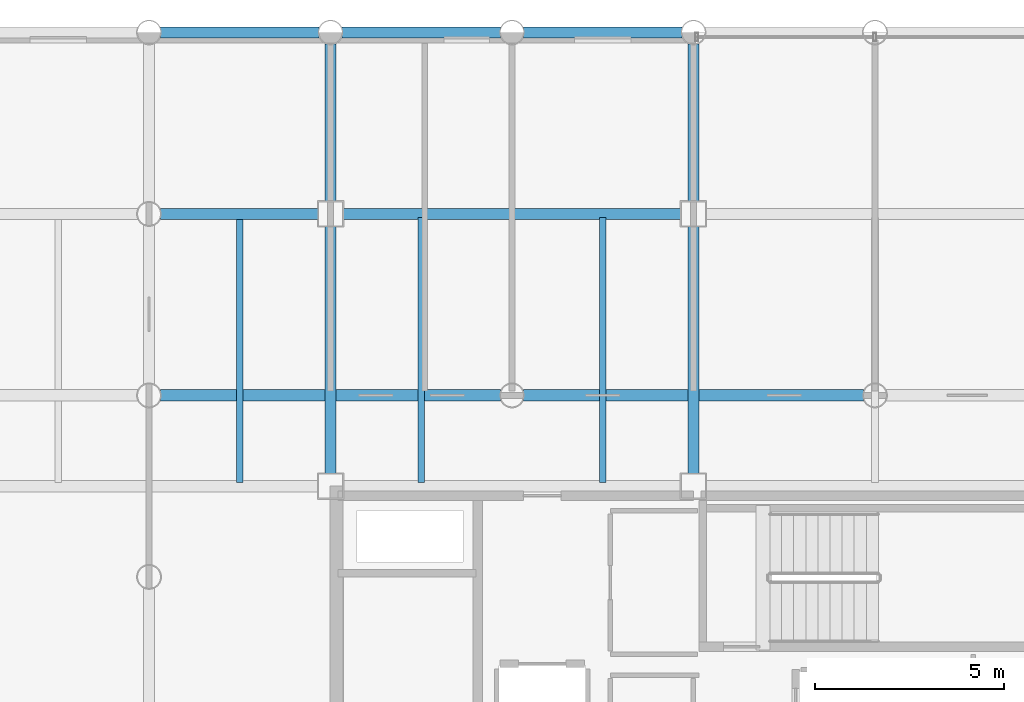
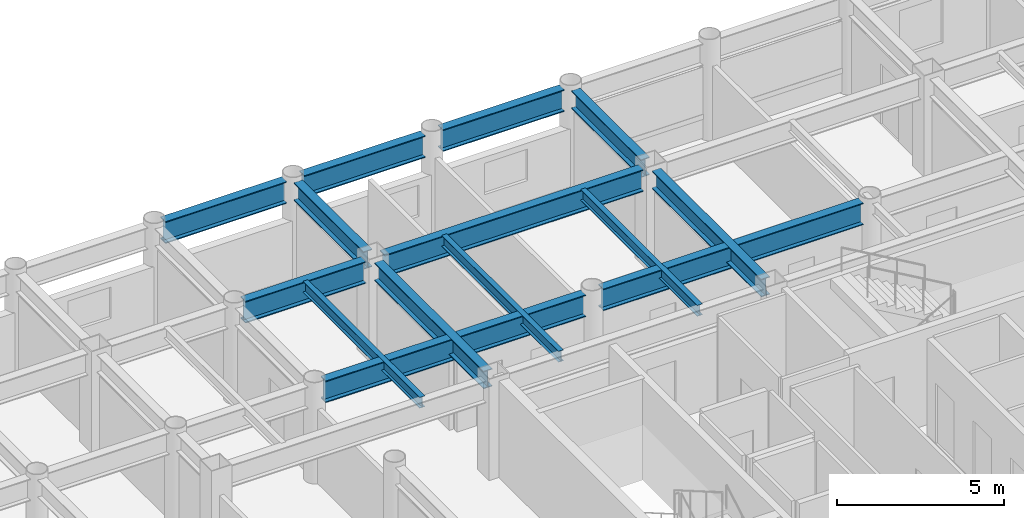
# One storey, part 10 of 20: 14 beams.
"""IFC4 building model written with IfcOpenShell, lengths in metres."""

from ifc_helpers import new_model, si_unit, direction, frame, origin, origin_2d, place, context, subcontext, project, spatial, i_section, extrude, material, material_profile, profile_set, type_object, element, save


model = new_model("IFC4")

# Units and contexts
model_context = context("Model", 3, precision=1e-05, world=origin(), true_north=direction((0.0, 1.0)))
body_context = subcontext(model_context, "Body", "Model", "MODEL_VIEW")
ifc_project = project(units=[si_unit("LENGTHUNIT", "METRE"), si_unit("AREAUNIT", "SQUARE_METRE"), si_unit("VOLUMEUNIT", "CUBIC_METRE"), si_unit("PLANEANGLEUNIT", "RADIAN"), si_unit("MASSUNIT", "GRAM", prefix="KILO")], contexts=[model_context])

# Site, building, storey
site_placement = place(None, origin())
site = spatial("IfcSite", under=ifc_project, at=site_placement, CompositionType="ELEMENT")
building_placement = place(site_placement, origin())
building = spatial("IfcBuilding", under=site, at=building_placement, Name="Kallvorn Hotel Tower", CompositionType="ELEMENT")
storey_placement = place(building_placement, frame((0.0, 0.0, 161.800048828125)))
storey = spatial("IfcBuildingStorey", under=building, at=storey_placement, Name="L40", CompositionType="ELEMENT", Elevation=161.800048828125)

# Beams
ifc_material_1 = material(Name="Structural steel S355JR", Category="steel")
ifc_material_profile_1 = material_profile(ifc_material_1, i_section(OverallWidth=0.300048828125, OverallDepth=0.64990234375, WebThickness=0.01611328125, FlangeThickness=0.031005859375, at=origin_2d()), Name="HE 650 B")
ifc_profile_set_1 = profile_set([ifc_material_profile_1], Name="Structural steel S355JR")
beam_type_1 = type_object("IfcBeamType", Name="BM_HE650B", PredefinedType="BEAM", material=ifc_profile_set_1)
beam_1_placement = place(storey_placement, frame((-14.39990234375, 7.52490234375, 3.195068359375), z_axis=(0.0, 1.0, 0.0), x_axis=(-1.0, 0.0, 0.0)))
element("IfcBeam", 1, at=beam_1_placement, inside=storey, type_object=beam_type_1, Name="L41 Primary Y-Girder 101", PredefinedType="BEAM", context=body_context, shape_type="SweptSolid", body=[
    extrude(i_section(OverallWidth=0.300048828125, OverallDepth=0.64990234375, WebThickness=0.01611328125, FlangeThickness=0.031005859375, at=origin_2d()), origin(), (0.0, 0.0, 1.0), 6.550048828125),
])
beam_2_placement = place(storey_placement, frame((-14.39990234375, 14.72509765625, 3.195068359375), z_axis=(0.0, 1.0, 0.0), x_axis=(-1.0, 0.0, 0.0)))
element("IfcBeam", 2, at=beam_2_placement, inside=storey, type_object=beam_type_1, Name="L41 Primary Y-Girder 102", PredefinedType="BEAM", context=body_context, shape_type="SweptSolid", body=[
    extrude(i_section(OverallWidth=0.300048828125, OverallDepth=0.64990234375, WebThickness=0.01611328125, FlangeThickness=0.031005859375, at=origin_2d()), origin(), (0.0, 0.0, 1.0), 4.169921875),
])
beam_3_placement = place(storey_placement, frame((-4.800048828125, 7.52490234375, 3.195068359375), z_axis=(0.0, 1.0, 0.0), x_axis=(-1.0, 0.0, 0.0)))
element("IfcBeam", 3, at=beam_3_placement, inside=storey, type_object=beam_type_1, Name="L41 Primary Y-Girder 109", PredefinedType="BEAM", context=body_context, shape_type="SweptSolid", body=[
    extrude(i_section(OverallWidth=0.300048828125, OverallDepth=0.64990234375, WebThickness=0.01611328125, FlangeThickness=0.031005859375, at=origin_2d()), origin(), (0.0, 0.0, 1.0), 6.550048828125),
])
beam_4_placement = place(storey_placement, frame((-4.800048828125, 14.72509765625, 3.195068359375), z_axis=(0.0, 1.0, 0.0), x_axis=(-1.0, 0.0, 0.0)))
element("IfcBeam", 4, at=beam_4_placement, inside=storey, type_object=beam_type_1, Name="L41 Primary Y-Girder 110", PredefinedType="BEAM", context=body_context, shape_type="SweptSolid", body=[
    extrude(i_section(OverallWidth=0.300048828125, OverallDepth=0.64990234375, WebThickness=0.01611328125, FlangeThickness=0.031005859375, at=origin_2d()), origin(), (0.0, 0.0, 1.0), 4.169921875),
])
ifc_material_2 = material(Name="Structural steel S355JR", Category="steel")
ifc_material_profile_2 = material_profile(ifc_material_2, i_section(OverallWidth=0.300048828125, OverallDepth=0.800048828125, WebThickness=0.017578125, FlangeThickness=0.032958984375, at=origin_2d()), Name="HE 800 B")
ifc_profile_set_2 = profile_set([ifc_material_profile_2], Name="Structural steel S355JR")
beam_type_2 = type_object("IfcBeamType", Name="BM_HE800B", PredefinedType="BEAM", material=ifc_profile_set_2)
for number, where, z_axis, x_axis, name in (
    (5, (-18.89501953125, 9.60009765625, 3.119873046875), (1.0, 0.0, 0.0), (0.0, 1.0, 0.0), "L41 Primary X-Girder 45"),
    (6, (-9.294921875, 9.60009765625, 3.119873046875), (1.0, 0.0, 0.0), (0.0, 1.0, 0.0), "L41 Primary X-Girder 46"),
):
    element("IfcBeam", number, at=place(storey_placement, frame(where, z_axis=z_axis, x_axis=x_axis)), inside=storey, type_object=beam_type_2, Name=name, PredefinedType="BEAM", context=body_context, shape_type="SweptSolid", body=[
        extrude(i_section(OverallWidth=0.300048828125, OverallDepth=0.800048828125, WebThickness=0.017578125, FlangeThickness=0.032958984375, at=origin_2d()), origin(), (0.0, 0.0, 1.0), 8.989990234375),
    ])
beam_5_placement = place(storey_placement, frame((-18.89501953125, 14.39990234375, 3.119873046875), z_axis=(1.0, 0.0, 0.0), x_axis=(0.0, 1.0, 0.0)))
element("IfcBeam", 7, at=beam_5_placement, inside=storey, type_object=beam_type_2, Name="L41 Primary X-Girder 54", PredefinedType="BEAM", context=body_context, shape_type="SweptSolid", body=[
    extrude(i_section(OverallWidth=0.300048828125, OverallDepth=0.800048828125, WebThickness=0.017578125, FlangeThickness=0.032958984375, at=origin_2d()), origin(), (0.0, 0.0, 1.0), 4.169921875),
])
beam_6_placement = place(storey_placement, frame((-14.074951171875, 14.39990234375, 3.119873046875), z_axis=(1.0, 0.0, 0.0), x_axis=(0.0, 1.0, 0.0)))
element("IfcBeam", 8, at=beam_6_placement, inside=storey, type_object=beam_type_2, Name="L41 Primary X-Girder 55", PredefinedType="BEAM", context=body_context, shape_type="SweptSolid", body=[
    extrude(i_section(OverallWidth=0.300048828125, OverallDepth=0.800048828125, WebThickness=0.017578125, FlangeThickness=0.032958984375, at=origin_2d()), origin(), (0.0, 0.0, 1.0), 8.949951171875),
])
for number, where, z_axis, x_axis, name in (
    (9, (-18.89501953125, 19.199951171875, 3.119873046875), (1.0, 0.0, 0.0), (0.0, 1.0, 0.0), "L41 Primary X-Girder 63"),
    (10, (-14.094970703125, 19.199951171875, 3.119873046875), (1.0, 0.0, 0.0), (0.0, 1.0, 0.0), "L41 Primary X-Girder 64"),
    (11, (-9.294921875, 19.199951171875, 3.119873046875), (1.0, 0.0, 0.0), (0.0, 1.0, 0.0), "L41 Primary X-Girder 65"),
):
    element("IfcBeam", number, at=place(storey_placement, frame(where, z_axis=z_axis, x_axis=x_axis)), inside=storey, type_object=beam_type_2, Name=name, PredefinedType="BEAM", context=body_context, shape_type="SweptSolid", body=[
        extrude(i_section(OverallWidth=0.300048828125, OverallDepth=0.800048828125, WebThickness=0.017578125, FlangeThickness=0.032958984375, at=origin_2d()), origin(), (0.0, 0.0, 1.0), 4.18994140625),
    ])
ifc_material_3 = material(Name="Structural steel S355JR", Category="steel")
ifc_material_profile_3 = material_profile(ifc_material_3, i_section(OverallWidth=0.179931640625, OverallDepth=0.39990234375, WebThickness=0.008544921875, FlangeThickness=0.013427734375, at=origin_2d()), Name="IPE 400")
ifc_profile_set_3 = profile_set([ifc_material_profile_3], Name="Structural steel S355JR")
beam_type_3 = type_object("IfcBeamType", Name="BM_IPE400", PredefinedType="JOIST", material=ifc_profile_set_3)
for number, where, z_axis, x_axis, name in (
    (12, (-16.800048828125, 7.300048828125, 3.320068359375), (0.0, 1.0, 0.0), (-1.0, 0.0, 0.0), "L41 Secondary Composite Joist 195"),
    (13, (-12.0, 7.300048828125, 3.320068359375), (0.0, 1.0, 0.0), (-1.0, 0.0, 0.0), "L41 Secondary Composite Joist 197"),
    (14, (-7.199951171875, 7.300048828125, 3.320068359375), (0.0, 1.0, 0.0), (-1.0, 0.0, 0.0), "L41 Secondary Composite Joist 199"),
):
    element("IfcBeam", number, at=place(storey_placement, frame(where, z_axis=z_axis, x_axis=x_axis)), inside=storey, type_object=beam_type_3, Name=name, PredefinedType="JOIST", context=body_context, shape_type="SweptSolid", body=[
        extrude(i_section(OverallWidth=0.179931640625, OverallDepth=0.39990234375, WebThickness=0.008544921875, FlangeThickness=0.013427734375, at=origin_2d()), origin(), (0.0, 0.0, 1.0), 7.0),
    ])

save(model, "model.ifc")
